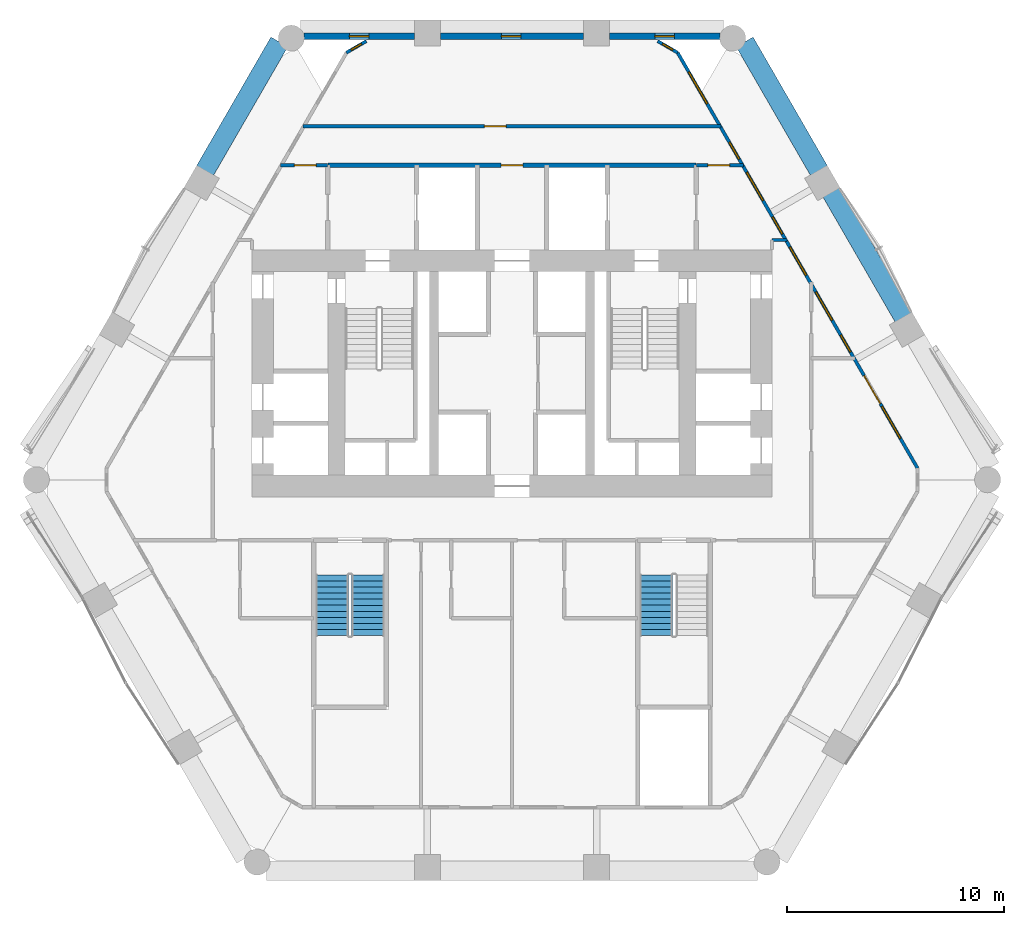
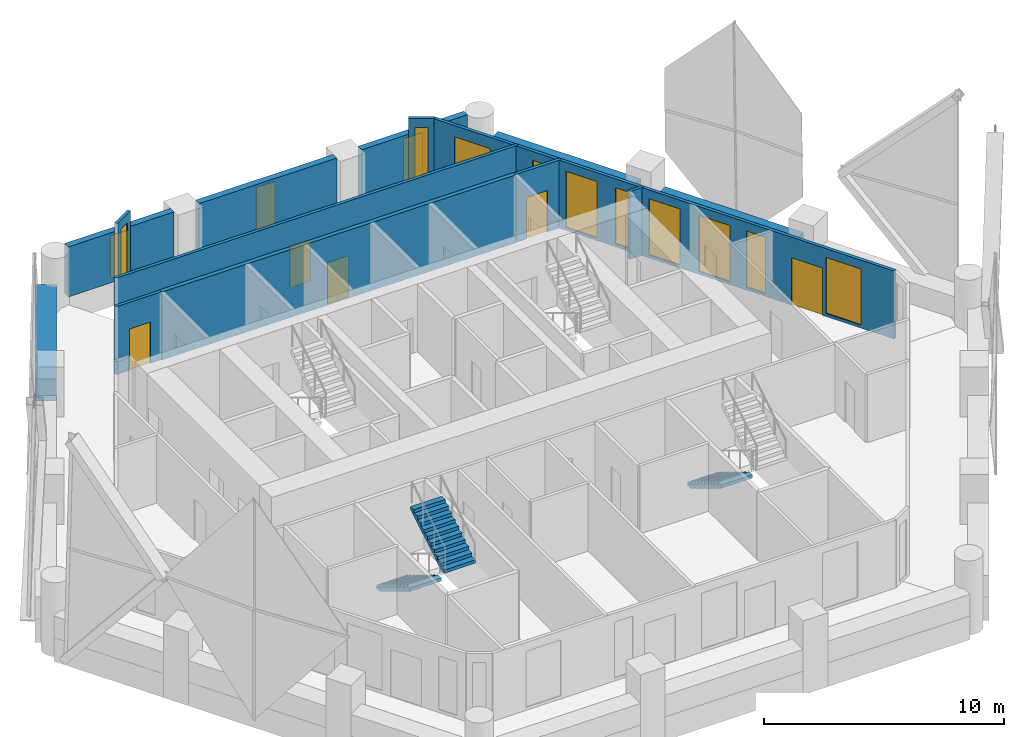
# One storey, part 13 of 17: 14 walls, 13 windows, 5 doors, 3 stair flights, 18 openings, 2 elements without a shape of their own.
"""IFC4 building model written with IfcOpenShell, lengths in metres."""

from ifc_helpers import new_model, si_unit, direction, frame, frame_2d, origin, place, context, subcontext, project, spatial, polyline, rectangle, outline, extrude, material, layer, layer_set, type_object, element, fill, aggregate, save


model = new_model("IFC4")

# Units and contexts
model_context = context("Model", 3, precision=1e-05, world=origin(), true_north=direction((0.0, 1.0)))
body_context = subcontext(model_context, "Body", "Model", "MODEL_VIEW")
ifc_project = project(units=[si_unit("LENGTHUNIT", "METRE"), si_unit("AREAUNIT", "SQUARE_METRE"), si_unit("VOLUMEUNIT", "CUBIC_METRE"), si_unit("PLANEANGLEUNIT", "RADIAN"), si_unit("MASSUNIT", "GRAM", prefix="KILO")], contexts=[model_context])

# Site, building, storey
site_placement = place(None, origin())
site = spatial("IfcSite", under=ifc_project, at=site_placement, CompositionType="ELEMENT")
building_placement = place(site_placement, origin())
building = spatial("IfcBuilding", under=site, at=building_placement, Name="Ostrander Bayou Hotel Tower", CompositionType="ELEMENT")
storey_placement = place(building_placement, frame((0.0, 0.0, 127.25)))
storey = spatial("IfcBuildingStorey", under=building, at=storey_placement, Name="L31", CompositionType="ELEMENT", Elevation=127.25)

# Wall, openings, door, windows
ifc_material_1 = material(Name="Aluminium framed insulated wall", Category="aluminium")
ifc_layer_1 = layer(ifc_material_1, 0.14990234375)
ifc_layer_set_1 = layer_set([ifc_layer_1], Name="GW1 glass-line wall 150 mm")
wall_type_1 = type_object("IfcWallType", Name="GW1 glass-line wall 150 mm", PredefinedType="SOLIDWALL", material=ifc_layer_set_1)
wall_1_placement = place(storey_placement, frame((18.7099609375, -0.37841796875, 0.0), z_axis=(0.0, 0.0, 1.0), x_axis=(-0.500001219746, 0.866024699562, 0.0)))
wall_1 = element("IfcWall", 1, at=wall_1_placement, inside=storey, type_object=wall_type_1, Name="GW1 L31 NE 1", PredefinedType="SOLIDWALL", context=body_context, shape_type="SweptSolid", body=[
    extrude(rectangle(XDim=22.13671875, YDim=0.14990234375, at=frame_2d((11.068359375, 0.0))), origin(), (0.0, 0.0, 1.0), 3.449951171875),
])
opening_1_placement = place(wall_1_placement, frame((1.582763671875, 0.0, 0.14990234375)))
opening_1 = element("IfcOpeningElement", 2, at=opening_1_placement, cuts=wall_1, Name="Opening W2", PredefinedType="OPENING", context=body_context, shape_type="SweptSolid", body=[
    extrude(rectangle(XDim=1.699951171875, YDim=2.85009765625, at=frame_2d((0.85009765625, 1.425048828125))), frame((0.0, 0.074951171875, 0.0), z_axis=(0.0, -1.0, 0.0), x_axis=(1.0, 0.0, 0.0)), (0.0, 0.0, 1.0), 0.14990234375),
])
opening_2_placement = place(wall_1_placement, frame((3.43798828125, 0.0, 0.0)))
opening_2 = element("IfcOpeningElement", 3, at=opening_2_placement, cuts=wall_1, Name="Opening T31-808", PredefinedType="OPENING", context=body_context, shape_type="SweptSolid", body=[
    extrude(rectangle(XDim=1.5, YDim=2.39990234375, at=frame_2d((0.75, 1.199951171875))), frame((0.0, 0.074951171875, 0.0), z_axis=(0.0, -1.0, 0.0), x_axis=(1.0, 0.0, 0.0)), (0.0, 0.0, 1.0), 0.14990234375),
])
opening_3_placement = place(wall_1_placement, frame((6.18798828125, 0.0, 0.14990234375)))
opening_3 = element("IfcOpeningElement", 4, at=opening_3_placement, cuts=wall_1, Name="Opening W16", PredefinedType="OPENING", context=body_context, shape_type="SweptSolid", body=[
    extrude(rectangle(XDim=0.89990234375, YDim=2.85009765625, at=frame_2d((0.449951171875, 1.425048828125))), frame((0.0, 0.074951171875, 0.0), z_axis=(0.0, -1.0, 0.0), x_axis=(1.0, 0.0, 0.0)), (0.0, 0.0, 1.0), 0.14990234375),
])
opening_4_placement = place(wall_1_placement, frame((7.8828125, 0.0, 0.14990234375)))
opening_4 = element("IfcOpeningElement", 5, at=opening_4_placement, cuts=wall_1, Name="Opening W12", PredefinedType="OPENING", context=body_context, shape_type="SweptSolid", body=[
    extrude(rectangle(XDim=1.5, YDim=2.85009765625, at=frame_2d((0.75, 1.425048828125))), frame((0.0, 0.074951171875, 0.0), z_axis=(0.0, -1.0, 0.0), x_axis=(1.0, 0.0, 0.0)), (0.0, 0.0, 1.0), 0.14990234375),
])
opening_5_placement = place(wall_1_placement, frame((12.4814453125, 0.0, 0.14990234375)))
opening_5 = element("IfcOpeningElement", 6, at=opening_5_placement, cuts=wall_1, Name="Opening W16", PredefinedType="OPENING", context=body_context, shape_type="SweptSolid", body=[
    extrude(rectangle(XDim=0.89990234375, YDim=2.85009765625, at=frame_2d((0.449951171875, 1.425048828125))), frame((0.0, 0.074951171875, 0.0), z_axis=(0.0, -1.0, 0.0), x_axis=(1.0, 0.0, 0.0)), (0.0, 0.0, 1.0), 0.14990234375),
])
opening_6_placement = place(wall_1_placement, frame((10.281494140625, 0.0, 0.14990234375)))
opening_6 = element("IfcOpeningElement", 7, at=opening_6_placement, cuts=wall_1, Name="Opening W12", PredefinedType="OPENING", context=body_context, shape_type="SweptSolid", body=[
    extrude(rectangle(XDim=1.5, YDim=2.85009765625, at=frame_2d((0.75, 1.425048828125))), frame((0.0, 0.074951171875, 0.0), z_axis=(0.0, -1.0, 0.0), x_axis=(1.0, 0.0, 0.0)), (0.0, 0.0, 1.0), 0.14990234375),
])
opening_7_placement = place(wall_1_placement, frame((16.465087890625, 0.0, 0.14990234375)))
opening_7 = element("IfcOpeningElement", 8, at=opening_7_placement, cuts=wall_1, Name="Opening W16", PredefinedType="OPENING", context=body_context, shape_type="SweptSolid", body=[
    extrude(rectangle(XDim=0.89990234375, YDim=2.85009765625, at=frame_2d((0.449951171875, 1.425048828125))), frame((0.0, 0.074951171875, 0.0), z_axis=(0.0, -1.0, 0.0), x_axis=(1.0, 0.0, 0.0)), (0.0, 0.0, 1.0), 0.14990234375),
])
opening_8_placement = place(wall_1_placement, frame((14.26513671875, 0.0, 0.14990234375)))
opening_8 = element("IfcOpeningElement", 9, at=opening_8_placement, cuts=wall_1, Name="Opening W12", PredefinedType="OPENING", context=body_context, shape_type="SweptSolid", body=[
    extrude(rectangle(XDim=1.5, YDim=2.85009765625, at=frame_2d((0.75, 1.425048828125))), frame((0.0, 0.074951171875, 0.0), z_axis=(0.0, -1.0, 0.0), x_axis=(1.0, 0.0, 0.0)), (0.0, 0.0, 1.0), 0.14990234375),
])
opening_9_placement = place(wall_1_placement, frame((19.4150390625, 0.0, 0.14990234375)))
opening_9 = element("IfcOpeningElement", 10, at=opening_9_placement, cuts=wall_1, Name="Opening W2", PredefinedType="OPENING", context=body_context, shape_type="SweptSolid", body=[
    extrude(rectangle(XDim=1.699951171875, YDim=2.72998046875, at=frame_2d((0.85009765625, 1.364990234375))), frame((0.0, 0.074951171875, 0.0), z_axis=(0.0, -1.0, 0.0), x_axis=(1.0, 0.0, 0.0)), (0.0, 0.0, 1.0), 0.14990234375),
])
ifc_material_2 = material(Name="Aluminium and clear glass", Category="aluminium")
door_type_1 = type_object("IfcDoorType", Name="SD2 sliding glass door 1500 mm, zone 2", OperationType="SLIDING_TO_LEFT", PredefinedType="DOOR", material=ifc_material_2)
door_1_placement = place(opening_2_placement, origin())
door_1 = element("IfcDoor", 11, at=door_1_placement, inside=storey, type_object=door_type_1, Name="SD2 L31 NE 1", OperationType="SLIDING_TO_LEFT", OverallHeight=2.39990234375, OverallWidth=1.5, PredefinedType="DOOR", context=body_context, shape_type="SweptSolid", body=[
    extrude(rectangle(XDim=1.5, YDim=2.39990234375, at=frame_2d((0.75, 1.199951171875))), frame((0.0, 0.02490234375, 0.0), z_axis=(0.0, -1.0, 0.0), x_axis=(1.0, 0.0, 0.0)), (0.0, 0.0, 1.0), 0.050048828125),
])
fill(opening_2, door_1)
ifc_material_3 = material(Name="Aluminium and clear glass", Category="aluminium")
window_type_1 = type_object("IfcWindowType", Name="W12 fixed window 1500 mm, bath bay, zone 2", PartitioningType="SINGLE_PANEL", PredefinedType="WINDOW", material=ifc_material_3)
window_1_placement = place(opening_4_placement, origin())
window_1 = element("IfcWindow", 12, at=window_1_placement, inside=storey, type_object=window_type_1, Name="W12 L31 NE 2", OverallHeight=2.85009765625, OverallWidth=1.5, PartitioningType="SINGLE_PANEL", PredefinedType="WINDOW", context=body_context, shape_type="SweptSolid", body=[
    extrude(rectangle(XDim=1.5, YDim=2.85009765625, at=frame_2d((0.75, 1.425048828125))), frame((0.0, 0.030029296875, 0.0), z_axis=(0.0, -1.0, 0.0), x_axis=(1.0, 0.0, 0.0)), (0.0, 0.0, 1.0), 0.06005859375),
])
fill(opening_4, window_1)
window_2_placement = place(opening_6_placement, origin())
window_2 = element("IfcWindow", 13, at=window_2_placement, inside=storey, type_object=window_type_1, Name="W12 L31 NE 3", OverallHeight=2.85009765625, OverallWidth=1.5, PartitioningType="SINGLE_PANEL", PredefinedType="WINDOW", context=body_context, shape_type="SweptSolid", body=[
    extrude(rectangle(XDim=1.5, YDim=2.85009765625, at=frame_2d((0.75, 1.425048828125))), frame((0.0, 0.030029296875, 0.0), z_axis=(0.0, -1.0, 0.0), x_axis=(1.0, 0.0, 0.0)), (0.0, 0.0, 1.0), 0.06005859375),
])
fill(opening_6, window_2)
window_3_placement = place(opening_8_placement, origin())
window_3 = element("IfcWindow", 14, at=window_3_placement, inside=storey, type_object=window_type_1, Name="W12 L31 NE 4", OverallHeight=2.85009765625, OverallWidth=1.5, PartitioningType="SINGLE_PANEL", PredefinedType="WINDOW", context=body_context, shape_type="SweptSolid", body=[
    extrude(rectangle(XDim=1.5, YDim=2.85009765625, at=frame_2d((0.75, 1.425048828125))), frame((0.0, 0.030029296875, 0.0), z_axis=(0.0, -1.0, 0.0), x_axis=(1.0, 0.0, 0.0)), (0.0, 0.0, 1.0), 0.06005859375),
])
fill(opening_8, window_3)
ifc_material_4 = material(Name="Aluminium and clear glass", Category="aluminium")
window_type_2 = type_object("IfcWindowType", Name="W16 window 900 mm, zone 2", PartitioningType="SINGLE_PANEL", PredefinedType="WINDOW", material=ifc_material_4)
window_4_placement = place(opening_3_placement, origin())
window_4 = element("IfcWindow", 15, at=window_4_placement, inside=storey, type_object=window_type_2, Name="W16 L31 NE 2", OverallHeight=2.85009765625, OverallWidth=0.89990234375, PartitioningType="SINGLE_PANEL", PredefinedType="WINDOW", context=body_context, shape_type="SweptSolid", body=[
    extrude(rectangle(XDim=0.89990234375, YDim=2.85009765625, at=frame_2d((0.449951171875, 1.425048828125))), frame((0.0, 0.030029296875, 0.0), z_axis=(0.0, -1.0, 0.0), x_axis=(1.0, 0.0, 0.0)), (0.0, 0.0, 1.0), 0.06005859375),
])
fill(opening_3, window_4)
window_5_placement = place(opening_5_placement, origin())
window_5 = element("IfcWindow", 16, at=window_5_placement, inside=storey, type_object=window_type_2, Name="W16 L31 NE 3", OverallHeight=2.85009765625, OverallWidth=0.89990234375, PartitioningType="SINGLE_PANEL", PredefinedType="WINDOW", context=body_context, shape_type="SweptSolid", body=[
    extrude(rectangle(XDim=0.89990234375, YDim=2.85009765625, at=frame_2d((0.449951171875, 1.425048828125))), frame((0.0, 0.030029296875, 0.0), z_axis=(0.0, -1.0, 0.0), x_axis=(1.0, 0.0, 0.0)), (0.0, 0.0, 1.0), 0.06005859375),
])
fill(opening_5, window_5)
window_6_placement = place(opening_7_placement, origin())
window_6 = element("IfcWindow", 17, at=window_6_placement, inside=storey, type_object=window_type_2, Name="W16 L31 NE 4", OverallHeight=2.85009765625, OverallWidth=0.89990234375, PartitioningType="SINGLE_PANEL", PredefinedType="WINDOW", context=body_context, shape_type="SweptSolid", body=[
    extrude(rectangle(XDim=0.89990234375, YDim=2.85009765625, at=frame_2d((0.449951171875, 1.425048828125))), frame((0.0, 0.030029296875, 0.0), z_axis=(0.0, -1.0, 0.0), x_axis=(1.0, 0.0, 0.0)), (0.0, 0.0, 1.0), 0.06005859375),
])
fill(opening_7, window_6)
ifc_material_5 = material(Name="Aluminium and clear glass", Category="aluminium")
window_type_3 = type_object("IfcWindowType", Name="W2 fixed window 1700 mm, zone 2", PartitioningType="SINGLE_PANEL", PredefinedType="WINDOW", material=ifc_material_5)
window_7_placement = place(opening_1_placement, origin())
window_7 = element("IfcWindow", 18, at=window_7_placement, inside=storey, type_object=window_type_3, Name="W2 L31 NE 1", OverallHeight=2.85009765625, OverallWidth=1.699951171875, PartitioningType="SINGLE_PANEL", PredefinedType="WINDOW", context=body_context, shape_type="SweptSolid", body=[
    extrude(rectangle(XDim=1.699951171875, YDim=2.85009765625, at=frame_2d((0.85009765625, 1.425048828125))), frame((0.0, 0.030029296875, 0.0), z_axis=(0.0, -1.0, 0.0), x_axis=(1.0, 0.0, 0.0)), (0.0, 0.0, 1.0), 0.06005859375),
])
fill(opening_1, window_7)
window_8_placement = place(opening_9_placement, origin())
window_8 = element("IfcWindow", 19, at=window_8_placement, inside=storey, type_object=window_type_3, Name="W2 L31 NE E21", OverallHeight=2.72998046875, OverallWidth=1.699951171875, PartitioningType="SINGLE_PANEL", PredefinedType="WINDOW", context=body_context, shape_type="SweptSolid", body=[
    extrude(rectangle(XDim=1.699951171875, YDim=2.72998046875, at=frame_2d((0.85009765625, 1.364990234375))), frame((0.0, 0.030029296875, 0.0), z_axis=(0.0, -1.0, 0.0), x_axis=(1.0, 0.0, 0.0)), (0.0, 0.0, 1.0), 0.06005859375),
])
fill(opening_9, window_8)

# Wall, opening, window
wall_2_placement = place(storey_placement, frame((-6.71923828125, 19.324951171875, 0.0), z_axis=(0.0, 0.0, 1.0), x_axis=(-0.866048165231, -0.499960573946, 0.0)))
wall_2 = element("IfcWall", 20, at=wall_2_placement, inside=storey, type_object=wall_type_1, Name="GW1 L31 corner 1", PredefinedType="SOLIDWALL", context=body_context, shape_type="SweptSolid", body=[
    extrude(rectangle(XDim=1.06494140625, YDim=0.14990234375, at=frame_2d((0.532470703125, 0.0))), origin(), (0.0, 0.0, 1.0), 3.449951171875),
])
opening_10_placement = place(wall_2_placement, frame((0.257568359375, 0.0, 0.14990234375)))
opening_10 = element("IfcOpeningElement", 21, at=opening_10_placement, cuts=wall_2, Name="Opening W19", PredefinedType="OPENING", context=body_context, shape_type="SweptSolid", body=[
    extrude(rectangle(XDim=0.550048828125, YDim=2.85009765625, at=frame_2d((0.27490234375, 1.425048828125))), frame((0.0, 0.074951171875, 0.0), z_axis=(0.0, -1.0, 0.0), x_axis=(1.0, 0.0, 0.0)), (0.0, 0.0, 1.0), 0.14990234375),
])
ifc_material_6 = material(Name="Aluminium and clear glass", Category="aluminium")
window_type_4 = type_object("IfcWindowType", Name="W19 corner window 550 mm", PartitioningType="SINGLE_PANEL", PredefinedType="WINDOW", material=ifc_material_6)
window_9_placement = place(opening_10_placement, origin())
window_9 = element("IfcWindow", 22, at=window_9_placement, inside=storey, type_object=window_type_4, Name="W19 L31 corner 1", OverallHeight=2.85009765625, OverallWidth=0.550048828125, PartitioningType="SINGLE_PANEL", PredefinedType="WINDOW", context=body_context, shape_type="SweptSolid", body=[
    extrude(rectangle(XDim=0.550048828125, YDim=2.85009765625, at=frame_2d((0.27490234375, 1.425048828125))), frame((0.0, 0.030029296875, 0.0), z_axis=(0.0, -1.0, 0.0), x_axis=(1.0, 0.0, 0.0)), (0.0, 0.0, 1.0), 0.06005859375),
])
fill(opening_10, window_9)

wall_3_placement = place(storey_placement, frame((7.6416015625, 18.79248046875, 0.0), z_axis=(0.0, 0.0, 1.0), x_axis=(-0.866048165231, 0.499960573946, 0.0)))
wall_3 = element("IfcWall", 23, at=wall_3_placement, inside=storey, type_object=wall_type_1, Name="GW1 L31 corner 6", PredefinedType="SOLIDWALL", context=body_context, shape_type="SweptSolid", body=[
    extrude(rectangle(XDim=1.06494140625, YDim=0.14990234375, at=frame_2d((0.532470703125, 0.0))), origin(), (0.0, 0.0, 1.0), 3.449951171875),
])
opening_11_placement = place(wall_3_placement, frame((0.257568359375, 0.0, 0.14990234375)))
opening_11 = element("IfcOpeningElement", 24, at=opening_11_placement, cuts=wall_3, Name="Opening W19", PredefinedType="OPENING", context=body_context, shape_type="SweptSolid", body=[
    extrude(rectangle(XDim=0.550048828125, YDim=2.85009765625, at=frame_2d((0.27490234375, 1.425048828125))), frame((0.0, 0.074951171875, 0.0), z_axis=(0.0, -1.0, 0.0), x_axis=(1.0, 0.0, 0.0)), (0.0, 0.0, 1.0), 0.14990234375),
])
window_10_placement = place(opening_11_placement, origin())
window_10 = element("IfcWindow", 25, at=window_10_placement, inside=storey, type_object=window_type_4, Name="W19 L31 corner 6", OverallHeight=2.85009765625, OverallWidth=0.550048828125, PartitioningType="SINGLE_PANEL", PredefinedType="WINDOW", context=body_context, shape_type="SweptSolid", body=[
    extrude(rectangle(XDim=0.550048828125, YDim=2.85009765625, at=frame_2d((0.27490234375, 1.425048828125))), frame((0.0, 0.030029296875, 0.0), z_axis=(0.0, -1.0, 0.0), x_axis=(1.0, 0.0, 0.0)), (0.0, 0.0, 1.0), 0.06005859375),
])
fill(opening_11, window_10)

ifc_material_7 = material(Name="Reconstituted stone on masonry backing", Category="masonry")
ifc_layer_2 = layer(ifc_material_7, 0.300048828125)
ifc_layer_set_2 = layer_set([ifc_layer_2], Name="NW1 north stone wall 300 mm")
wall_type_2 = type_object("IfcWallType", Name="NW1 north stone wall 300 mm", PredefinedType="SOLIDWALL", material=ifc_layer_set_2)
wall_4_placement = place(storey_placement, frame((9.591796875, 19.550048828125, 0.0), z_axis=(0.0, 0.0, 1.0), x_axis=(-1.0, 0.0, 0.0)))
wall_4 = element("IfcWall", 26, at=wall_4_placement, inside=storey, type_object=wall_type_2, Name="NW1 L31 N-1", PredefinedType="SOLIDWALL", context=body_context, shape_type="SweptSolid", body=[
    extrude(rectangle(XDim=5.085205078125, YDim=0.300048828125, at=frame_2d((2.54248046875, 0.0))), origin(), (0.0, 0.0, 1.0), 2.550048828125),
])
opening_12_placement = place(wall_4_placement, frame((2.10009765625, 0.0, 0.14990234375)))
opening_12 = element("IfcOpeningElement", 27, at=opening_12_placement, cuts=wall_4, Name="Opening W16", PredefinedType="OPENING", context=body_context, shape_type="SweptSolid", body=[
    extrude(rectangle(XDim=0.89990234375, YDim=2.14990234375, at=frame_2d((0.449951171875, 1.074951171875))), frame((0.0, 0.14990234375, 0.0), z_axis=(0.0, -1.0, 0.0), x_axis=(1.0, 0.0, 0.0)), (0.0, 0.0, 1.0), 0.300048828125),
])
window_11_placement = place(opening_12_placement, origin())
window_11 = element("IfcWindow", 28, at=window_11_placement, inside=storey, type_object=window_type_2, Name="W16 L31 north N-1", OverallHeight=2.14990234375, OverallWidth=0.89990234375, PartitioningType="SINGLE_PANEL", PredefinedType="WINDOW", context=body_context, shape_type="SweptSolid", body=[
    extrude(rectangle(XDim=0.89990234375, YDim=2.14990234375, at=frame_2d((0.449951171875, 1.074951171875))), frame((0.0, 0.030029296875, 0.0), z_axis=(0.0, -1.0, 0.0), x_axis=(1.0, 0.0, 0.0)), (0.0, 0.0, 1.0), 0.06005859375),
])
fill(opening_12, window_11)

wall_5_placement = place(storey_placement, frame((3.306640625, 19.550048828125, 0.0), z_axis=(0.0, 0.0, 1.0), x_axis=(-1.0, 0.0, 0.0)))
wall_5 = element("IfcWall", 29, at=wall_5_placement, inside=storey, type_object=wall_type_2, Name="NW1 L31 N-2", PredefinedType="SOLIDWALL", context=body_context, shape_type="SweptSolid", body=[
    extrude(rectangle(XDim=6.61328125, YDim=0.300048828125, at=frame_2d((3.306640625, 0.0))), origin(), (0.0, 0.0, 1.0), 2.550048828125),
])
opening_13_placement = place(wall_5_placement, frame((2.89990234375, 0.0, 0.14990234375)))
opening_13 = element("IfcOpeningElement", 30, at=opening_13_placement, cuts=wall_5, Name="Opening W16", PredefinedType="OPENING", context=body_context, shape_type="SweptSolid", body=[
    extrude(rectangle(XDim=0.89990234375, YDim=2.14990234375, at=frame_2d((0.449951171875, 1.074951171875))), frame((0.0, 0.14990234375, 0.0), z_axis=(0.0, -1.0, 0.0), x_axis=(1.0, 0.0, 0.0)), (0.0, 0.0, 1.0), 0.300048828125),
])
window_12_placement = place(opening_13_placement, origin())
window_12 = element("IfcWindow", 31, at=window_12_placement, inside=storey, type_object=window_type_2, Name="W16 L31 north N-2", OverallHeight=2.14990234375, OverallWidth=0.89990234375, PartitioningType="SINGLE_PANEL", PredefinedType="WINDOW", context=body_context, shape_type="SweptSolid", body=[
    extrude(rectangle(XDim=0.89990234375, YDim=2.14990234375, at=frame_2d((0.449951171875, 1.074951171875))), frame((0.0, 0.030029296875, 0.0), z_axis=(0.0, -1.0, 0.0), x_axis=(1.0, 0.0, 0.0)), (0.0, 0.0, 1.0), 0.06005859375),
])
fill(opening_13, window_12)

wall_6_placement = place(storey_placement, frame((-4.506591796875, 19.550048828125, 0.0), z_axis=(0.0, 0.0, 1.0), x_axis=(-1.0, 0.0, 0.0)))
wall_6 = element("IfcWall", 32, at=wall_6_placement, inside=storey, type_object=wall_type_2, Name="NW1 L31 N-3", PredefinedType="SOLIDWALL", context=body_context, shape_type="SweptSolid", body=[
    extrude(rectangle(XDim=5.085205078125, YDim=0.300048828125, at=frame_2d((2.54248046875, 0.0))), origin(), (0.0, 0.0, 1.0), 2.550048828125),
])
opening_14_placement = place(wall_6_placement, frame((2.10009765625, 0.0, 0.14990234375)))
opening_14 = element("IfcOpeningElement", 33, at=opening_14_placement, cuts=wall_6, Name="Opening W16", PredefinedType="OPENING", context=body_context, shape_type="SweptSolid", body=[
    extrude(rectangle(XDim=0.89990234375, YDim=2.14990234375, at=frame_2d((0.449951171875, 1.074951171875))), frame((0.0, 0.14990234375, 0.0), z_axis=(0.0, -1.0, 0.0), x_axis=(1.0, 0.0, 0.0)), (0.0, 0.0, 1.0), 0.300048828125),
])
window_13_placement = place(opening_14_placement, origin())
window_13 = element("IfcWindow", 34, at=window_13_placement, inside=storey, type_object=window_type_2, Name="W16 L31 north N-3", OverallHeight=2.14990234375, OverallWidth=0.89990234375, PartitioningType="SINGLE_PANEL", PredefinedType="WINDOW", context=body_context, shape_type="SweptSolid", body=[
    extrude(rectangle(XDim=0.89990234375, YDim=2.14990234375, at=frame_2d((0.449951171875, 1.074951171875))), frame((0.0, 0.030029296875, 0.0), z_axis=(0.0, -1.0, 0.0), x_axis=(1.0, 0.0, 0.0)), (0.0, 0.0, 1.0), 0.06005859375),
])
fill(opening_14, window_13)

# Walls
ifc_material_8 = material(Name="Concrete f'c 40 MPa", Category="concrete")
ifc_layer_3 = layer(ifc_material_8, 0.89990234375)
ifc_layer_set_3 = layer_set([ifc_layer_3], Name="PA1 stone-faced parapet 900 mm")
wall_type_3 = type_object("IfcWallType", Name="PA1 stone-faced parapet 900 mm", PredefinedType="PARAPET", material=ifc_layer_set_3)
wall_7_placement = place(storey_placement, frame((-10.73388671875, 19.286376953125, 0.0), z_axis=(0.0, 0.0, 1.0), x_axis=(-0.500001814021, -0.866024356456, 0.0)))
element("IfcWall", 35, at=wall_7_placement, inside=storey, type_object=wall_type_3, Name="PA1 L31 NW-1", PredefinedType="PARAPET", context=body_context, shape_type="SweptSolid", body=[
    extrude(rectangle(XDim=6.85888671875, YDim=0.89990234375, at=frame_2d((3.429443359375, 0.0))), origin(), (0.0, 0.0, 1.0), 1.10009765625),
])
wall_8_placement = place(storey_placement, frame((18.070068359375, 6.579833984375, 0.0), z_axis=(0.0, 0.0, 1.0), x_axis=(-0.499999023957, 0.866025967302, 0.0)))
element("IfcWall", 36, at=wall_8_placement, inside=storey, type_object=wall_type_3, Name="PA1 L31 NE-2", PredefinedType="PARAPET", context=body_context, shape_type="SweptSolid", body=[
    extrude(rectangle(XDim=6.67333984375, YDim=0.89990234375, at=frame_2d((3.336669921875, 0.0))), origin(), (0.0, 0.0, 1.0), 1.10009765625),
])
wall_9_placement = place(storey_placement, frame((14.163330078125, 13.346435546875, 0.0), z_axis=(0.0, 0.0, 1.0), x_axis=(-0.500001814021, 0.866024356456, 0.0)))
element("IfcWall", 37, at=wall_9_placement, inside=storey, type_object=wall_type_3, Name="PA1 L31 NE-3", PredefinedType="PARAPET", context=body_context, shape_type="SweptSolid", body=[
    extrude(rectangle(XDim=6.85888671875, YDim=0.89990234375, at=frame_2d((3.429443359375, 0.0))), origin(), (0.0, 0.0, 1.0), 1.10009765625),
])

# Wall, opening, door
ifc_material_9 = material(Name="Masonry block", Category="masonry")
ifc_layer_4 = layer(ifc_material_9, 0.199951171875)
ifc_layer_set_4 = layer_set([ifc_layer_4], Name="PT5 stair enclosure wall 200 mm masonry, 2 hour")
wall_type_4 = type_object("IfcWallType", Name="PT5 stair enclosure wall 200 mm masonry, 2 hour", PredefinedType="PARTITIONING", material=ifc_layer_set_4)
wall_10_placement = place(storey_placement, frame((-8.5, 13.60009765625, 0.0), z_axis=(0.0, 0.0, 1.0), x_axis=(1.0, 0.0, 0.0)))
wall_10 = element("IfcWall", 38, at=wall_10_placement, inside=storey, type_object=wall_type_4, Name="cs:L31:025", PredefinedType="PARTITIONING", context=body_context, shape_type="SweptSolid", body=[
    extrude(rectangle(XDim=17.0, YDim=0.199951171875, at=frame_2d((8.5, 0.0))), origin(), (0.0, 0.0, 1.0), 3.449951171875),
])
opening_15_placement = place(wall_10_placement, frame((8.0, 0.0, 0.0)))
opening_15 = element("IfcOpeningElement", 39, at=opening_15_placement, cuts=wall_10, Name="Opening T31-013", PredefinedType="OPENING", context=body_context, shape_type="SweptSolid", body=[
    extrude(rectangle(XDim=1.0, YDim=2.10009765625, at=frame_2d((0.5, 1.050048828125))), frame((0.0, 0.10009765625, 0.0), z_axis=(0.0, -1.0, 0.0), x_axis=(1.0, 0.0, 0.0)), (0.0, 0.0, 1.0), 0.199951171875),
])
ifc_material_10 = material(Name="Timber door leaf", Category="wood")
door_type_2 = type_object("IfcDoorType", Name="D9 service door 1000 x 2100 mm, 30 minute", OperationType="SINGLE_SWING_LEFT", PredefinedType="DOOR", material=ifc_material_10)
door_2_placement = place(opening_15_placement, origin())
door_2 = element("IfcDoor", 40, at=door_2_placement, inside=storey, type_object=door_type_2, Name="dr:L31:013", OperationType="SINGLE_SWING_LEFT", OverallHeight=2.10009765625, OverallWidth=1.0, PredefinedType="DOOR", context=body_context, shape_type="SweptSolid", body=[
    extrude(rectangle(XDim=1.0, YDim=2.10009765625, at=frame_2d((0.5, 1.050048828125))), frame((0.0, 0.02490234375, 0.0), z_axis=(0.0, -1.0, 0.0), x_axis=(1.0, 0.0, 0.0)), (0.0, 0.0, 1.0), 0.050048828125),
])
fill(opening_15, door_2)

# Wall
ifc_material_11 = material(Name="Gypsum board partition", Category="finish")
ifc_layer_5 = layer(ifc_material_11, 0.14990234375)
ifc_layer_set_5 = layer_set([ifc_layer_5], Name="PT8 service band wall 150 mm, 1 hour")
wall_type_5 = type_object("IfcWallType", Name="PT8 service band wall 150 mm, 1 hour", PredefinedType="PARTITIONING", material=ifc_layer_set_5)
wall_11_placement = place(storey_placement, frame((12.0, 10.14990234375, 0.0), z_axis=(0.0, 0.0, 1.0), x_axis=(1.0, 0.0, 0.0)))
element("IfcWall", 41, at=wall_11_placement, inside=storey, type_object=wall_type_5, Name="gw:L31:011", PredefinedType="PARTITIONING", context=body_context, shape_type="SweptSolid", body=[
    extrude(rectangle(XDim=0.68310546875, YDim=0.14990234375, at=frame_2d((0.341552734375, 0.0))), origin(), (0.0, 0.0, 1.0), 3.449951171875),
])

# Wall, opening, door
wall_12_placement = place(storey_placement, frame((-10.69091796875, 13.60009765625, 0.0), z_axis=(0.0, 0.0, 1.0), x_axis=(1.0, 0.0, 0.0)))
wall_12 = element("IfcWall", 42, at=wall_12_placement, inside=storey, type_object=wall_type_5, Name="gw:L31:012", PredefinedType="PARTITIONING", context=body_context, shape_type="SweptSolid", body=[
    extrude(rectangle(XDim=2.180908203125, YDim=0.14990234375, at=frame_2d((1.09033203125, 0.0))), origin(), (0.0, 0.0, 1.0), 3.449951171875),
])
opening_16_placement = place(wall_12_placement, frame((0.65087890625, 0.0, 0.0)))
opening_16 = element("IfcOpeningElement", 43, at=opening_16_placement, cuts=wall_12, Name="Opening T31-414", PredefinedType="OPENING", context=body_context, shape_type="SweptSolid", body=[
    extrude(rectangle(XDim=1.0, YDim=2.10009765625, at=frame_2d((0.5, 1.050048828125))), frame((0.0, 0.074951171875, 0.0), z_axis=(0.0, -1.0, 0.0), x_axis=(1.0, 0.0, 0.0)), (0.0, 0.0, 1.0), 0.14990234375),
])
door_3_placement = place(opening_16_placement, origin())
door_3 = element("IfcDoor", 44, at=door_3_placement, inside=storey, type_object=door_type_2, Name="dr:L31:414", OperationType="SINGLE_SWING_RIGHT", OverallHeight=2.10009765625, OverallWidth=1.0, PredefinedType="DOOR", context=body_context, shape_type="SweptSolid", body=[
    extrude(rectangle(XDim=1.0, YDim=2.10009765625, at=frame_2d((0.5, 1.050048828125))), frame((0.0, 0.02490234375, 0.0), z_axis=(0.0, -1.0, 0.0), x_axis=(1.0, 0.0, 0.0)), (0.0, 0.0, 1.0), 0.050048828125),
])
fill(opening_16, door_3)

wall_13_placement = place(storey_placement, frame((8.510009765625, 13.60009765625, 0.0), z_axis=(0.0, 0.0, 1.0), x_axis=(1.0, 0.0, 0.0)))
wall_13 = element("IfcWall", 45, at=wall_13_placement, inside=storey, type_object=wall_type_5, Name="gw:L31:013", PredefinedType="PARTITIONING", context=body_context, shape_type="SweptSolid", body=[
    extrude(rectangle(XDim=2.180908203125, YDim=0.14990234375, at=frame_2d((1.09033203125, 0.0))), origin(), (0.0, 0.0, 1.0), 3.449951171875),
])
opening_17_placement = place(wall_13_placement, frame((0.530029296875, 0.0, 0.0)))
opening_17 = element("IfcOpeningElement", 46, at=opening_17_placement, cuts=wall_13, Name="Opening T31-415", PredefinedType="OPENING", context=body_context, shape_type="SweptSolid", body=[
    extrude(rectangle(XDim=1.0, YDim=2.10009765625, at=frame_2d((0.5, 1.050048828125))), frame((0.0, 0.074951171875, 0.0), z_axis=(0.0, -1.0, 0.0), x_axis=(1.0, 0.0, 0.0)), (0.0, 0.0, 1.0), 0.14990234375),
])
door_4_placement = place(opening_17_placement, origin())
door_4 = element("IfcDoor", 47, at=door_4_placement, inside=storey, type_object=door_type_2, Name="dr:L31:415", OperationType="SINGLE_SWING_LEFT", OverallHeight=2.10009765625, OverallWidth=1.0, PredefinedType="DOOR", context=body_context, shape_type="SweptSolid", body=[
    extrude(rectangle(XDim=1.0, YDim=2.10009765625, at=frame_2d((0.5, 1.050048828125))), frame((0.0, 0.02490234375, 0.0), z_axis=(0.0, -1.0, 0.0), x_axis=(1.0, 0.0, 0.0)), (0.0, 0.0, 1.0), 0.050048828125),
])
fill(opening_17, door_4)

wall_14_placement = place(storey_placement, frame((-9.652099609375, 15.39990234375, 0.0), z_axis=(0.0, 0.0, 1.0), x_axis=(1.0, 0.0, 0.0)))
wall_14 = element("IfcWall", 48, at=wall_14_placement, inside=storey, type_object=wall_type_5, Name="gw:L31:014", PredefinedType="PARTITIONING", context=body_context, shape_type="SweptSolid", body=[
    extrude(rectangle(XDim=19.30419921875, YDim=0.14990234375, at=frame_2d((9.652099609375, 0.0))), origin(), (0.0, 0.0, 1.0), 3.449951171875),
])
opening_18_placement = place(wall_14_placement, frame((8.3779296875, 0.0, 0.0)))
opening_18 = element("IfcOpeningElement", 49, at=opening_18_placement, cuts=wall_14, Name="Opening T31-413", PredefinedType="OPENING", context=body_context, shape_type="SweptSolid", body=[
    extrude(rectangle(XDim=1.0, YDim=2.10009765625, at=frame_2d((0.5, 1.050048828125))), frame((0.0, 0.074951171875, 0.0), z_axis=(0.0, -1.0, 0.0), x_axis=(1.0, 0.0, 0.0)), (0.0, 0.0, 1.0), 0.14990234375),
])
ifc_material_12 = material(Name="Timber door leaf", Category="wood")
door_type_3 = type_object("IfcDoorType", Name="D15 room door 1000 x 2100 mm", OperationType="SINGLE_SWING_LEFT", PredefinedType="DOOR", material=ifc_material_12)
door_5_placement = place(opening_18_placement, origin())
door_5 = element("IfcDoor", 50, at=door_5_placement, inside=storey, type_object=door_type_3, Name="dr:L31:413", OperationType="SINGLE_SWING_LEFT", OverallHeight=2.10009765625, OverallWidth=1.0, PredefinedType="DOOR", context=body_context, shape_type="SweptSolid", body=[
    extrude(rectangle(XDim=1.0, YDim=2.10009765625, at=frame_2d((0.5, 1.050048828125))), frame((0.0, 0.02490234375, 0.0), z_axis=(0.0, -1.0, 0.0), x_axis=(1.0, 0.0, 0.0)), (0.0, 0.0, 1.0), 0.050048828125),
])
fill(opening_18, door_5)

# Stair, stair flight
ifc_material_13 = material(Name="Concrete f'c 45 MPa", Category="concrete")
stair_type = type_object("IfcStairType", Name="ST1 exit stair 1500 mm f'c 45 MPa", PredefinedType="HALF_TURN_STAIR", material=ifc_material_13)
stair_1_placement = place(storey_placement, origin())
stair_1 = element("IfcStair", 51, at=stair_1_placement, inside=storey, type_object=stair_type, Name="L31 exit stair C", PredefinedType="HALF_TURN_STAIR")
ifc_material_14 = material(Name="Concrete f'c 45 MPa", Category="concrete")
stair_flight_type = type_object("IfcStairFlightType", Name="SF1 stair flight 1500 mm f'c 45 MPa", PredefinedType="STRAIGHT", material=ifc_material_14)
stair_flight_1_placement = place(storey_placement, frame((6.64990234375, -5.300048828125, 0.0), z_axis=(0.0, 0.0, 1.0), x_axis=(0.0, -1.0, 0.0)))
stair_flight_1 = element("IfcStairFlight", 52, at=stair_flight_1_placement, type_object=stair_flight_type, Name="STC flight 1", NumberOfRisers=11, NumberOfTreads=10, PredefinedType="STRAIGHT", RiserHeight=0.170454545, TreadLength=0.28, context=body_context, shape_type="SweptSolid", body=[
    extrude(outline(polyline([(0.0, 0.0), (0.0, 0.17041015625), (0.280029296875, 0.17041015625), (0.280029296875, 0.3408203125), (0.56005859375, 0.3408203125), (0.56005859375, 0.511474609375), (0.840087890625, 0.511474609375), (0.840087890625, 0.681884765625), (1.1201171875, 0.681884765625), (1.1201171875, 0.852294921875), (1.39990234375, 0.852294921875), (1.39990234375, 1.022705078125), (1.679931640625, 1.022705078125), (1.679931640625, 1.193115234375), (1.9599609375, 1.193115234375), (1.9599609375, 1.363525390625), (2.239990234375, 1.363525390625), (2.239990234375, 1.5341796875), (2.52001953125, 1.5341796875), (2.52001953125, 1.70458984375), (2.800048828125, 1.70458984375), (2.800048828125, 1.875), (2.800048828125, 1.529052734375), (0.288330078125, 0.0), (0.0, 0.0)])), frame((0.0, 0.75, 0.0), z_axis=(0.0, -1.0, 0.0), x_axis=(1.0, 0.0, 0.0)), (0.0, 0.0, 1.0), 1.5),
])
aggregate(stair_1, [stair_flight_1])

# Stair, stair flights
stair_2_placement = place(storey_placement, origin())
stair_2 = element("IfcStair", 53, at=stair_2_placement, inside=storey, type_object=stair_type, Name="L31 exit stair D", PredefinedType="HALF_TURN_STAIR")
stair_flight_2_placement = place(storey_placement, frame((-8.300048828125, -5.300048828125, 0.0), z_axis=(0.0, 0.0, 1.0), x_axis=(0.0, -1.0, 0.0)))
stair_flight_2 = element("IfcStairFlight", 54, at=stair_flight_2_placement, type_object=stair_flight_type, Name="STD flight 1", NumberOfRisers=11, NumberOfTreads=10, PredefinedType="STRAIGHT", RiserHeight=0.170454545, TreadLength=0.28, context=body_context, shape_type="SweptSolid", body=[
    extrude(outline(polyline([(0.0, 0.0), (0.0, 0.17041015625), (0.280029296875, 0.17041015625), (0.280029296875, 0.3408203125), (0.56005859375, 0.3408203125), (0.56005859375, 0.511474609375), (0.840087890625, 0.511474609375), (0.840087890625, 0.681884765625), (1.1201171875, 0.681884765625), (1.1201171875, 0.852294921875), (1.39990234375, 0.852294921875), (1.39990234375, 1.022705078125), (1.679931640625, 1.022705078125), (1.679931640625, 1.193115234375), (1.9599609375, 1.193115234375), (1.9599609375, 1.363525390625), (2.239990234375, 1.363525390625), (2.239990234375, 1.5341796875), (2.52001953125, 1.5341796875), (2.52001953125, 1.70458984375), (2.800048828125, 1.70458984375), (2.800048828125, 1.875), (2.800048828125, 1.529052734375), (0.288330078125, 0.0), (0.0, 0.0)])), frame((0.0, 0.75, 0.0), z_axis=(0.0, -1.0, 0.0), x_axis=(1.0, 0.0, 0.0)), (0.0, 0.0, 1.0), 1.5),
])
stair_flight_3_placement = place(storey_placement, frame((-6.64990234375, -8.10009765625, 1.875), z_axis=(0.0, 0.0, 1.0), x_axis=(0.0, 1.0, 0.0)))
stair_flight_3 = element("IfcStairFlight", 55, at=stair_flight_3_placement, type_object=stair_flight_type, Name="STD flight 2", NumberOfRisers=11, NumberOfTreads=10, PredefinedType="STRAIGHT", RiserHeight=0.170454545, TreadLength=0.28, context=body_context, shape_type="SweptSolid", body=[
    extrude(outline(polyline([(0.0, 0.0), (0.0, 0.17041015625), (0.280029296875, 0.17041015625), (0.280029296875, 0.3408203125), (0.56005859375, 0.3408203125), (0.56005859375, 0.511474609375), (0.840087890625, 0.511474609375), (0.840087890625, 0.681884765625), (1.1201171875, 0.681884765625), (1.1201171875, 0.852294921875), (1.39990234375, 0.852294921875), (1.39990234375, 1.022705078125), (1.679931640625, 1.022705078125), (1.679931640625, 1.193115234375), (1.9599609375, 1.193115234375), (1.9599609375, 1.363525390625), (2.239990234375, 1.363525390625), (2.239990234375, 1.5341796875), (2.52001953125, 1.5341796875), (2.52001953125, 1.70458984375), (2.800048828125, 1.70458984375), (2.800048828125, 1.875), (2.800048828125, 1.529052734375), (0.288330078125, 0.0), (0.0, 0.0)])), frame((0.0, 0.75, 0.0), z_axis=(0.0, -1.0, 0.0), x_axis=(1.0, 0.0, 0.0)), (0.0, 0.0, 1.0), 1.5),
])
aggregate(stair_2, [stair_flight_2, stair_flight_3])

save(model, "model.ifc")
